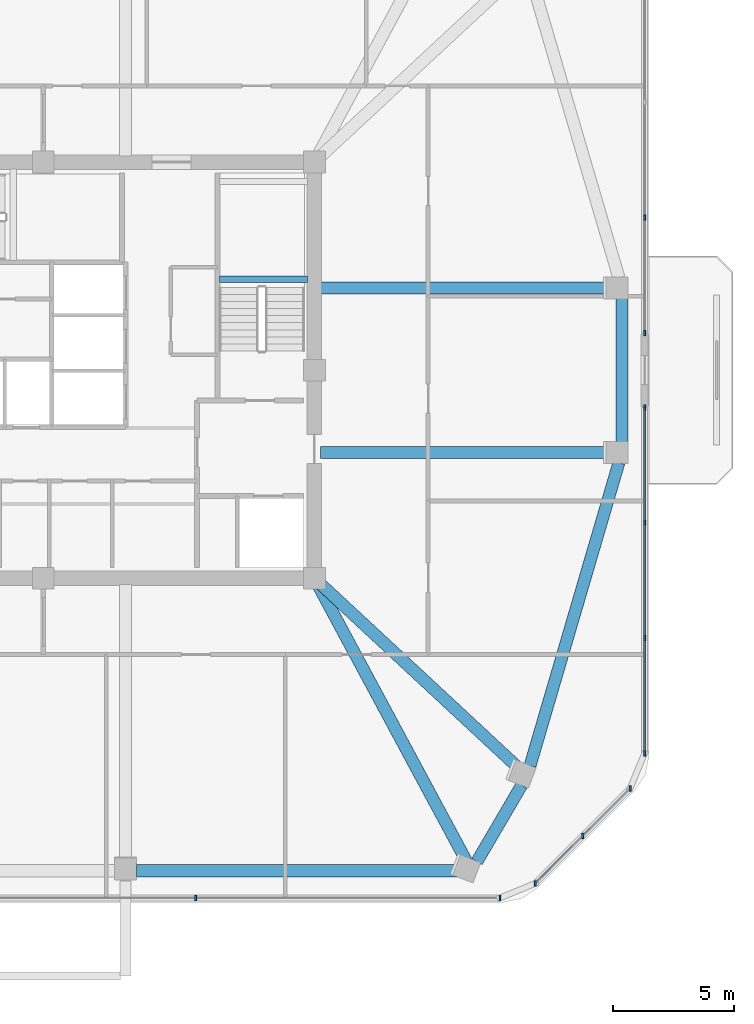
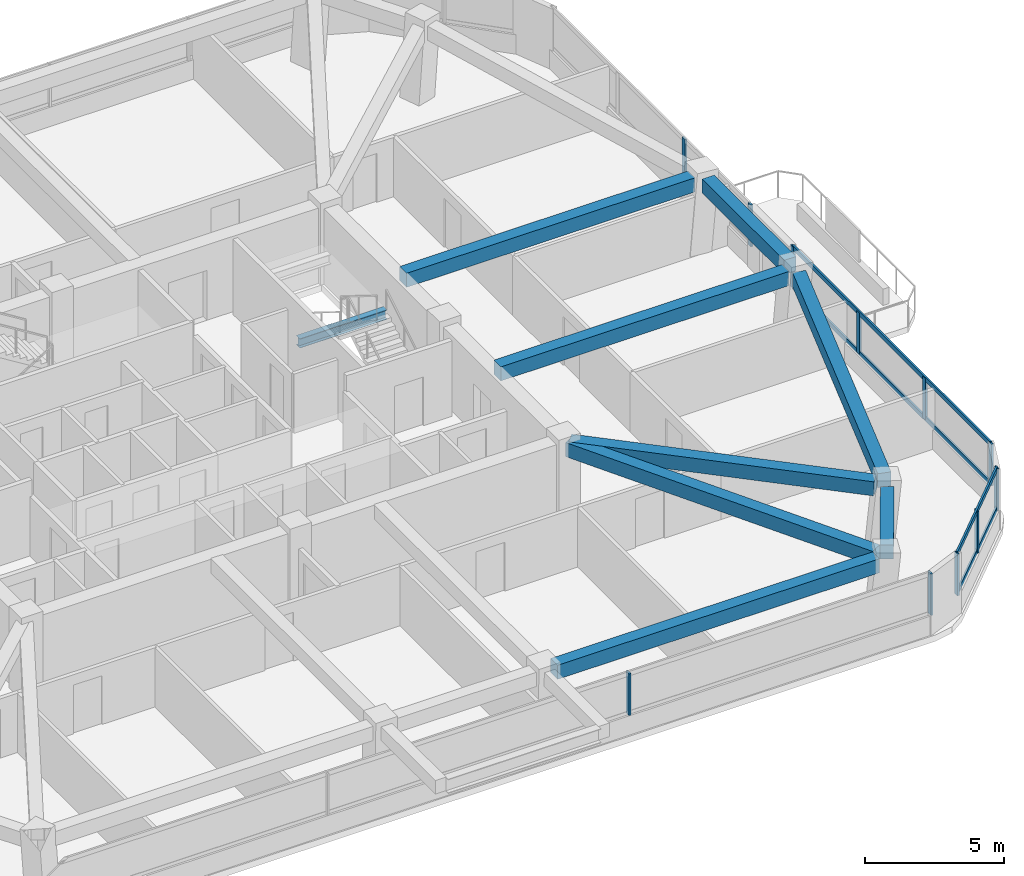
# One storey, part 5 of 13: 15 members, 9 beams, 4 elements without a shape of their own.
"""IFC4 building model written with IfcOpenShell, lengths in metres."""

from ifc_helpers import new_model, si_unit, derived_unit, direction, frame, origin, origin_2d, place, context, subcontext, project, spatial, rectangle, i_section, extrude, material, material_profile, profile_set, type_object, element, aggregate, save


model = new_model("IFC4")

# Units and contexts
model_context = context("Model", 3, precision=1e-05, world=origin(), true_north=direction((0.0, 1.0)))
body_context = subcontext(model_context, "Body", "Model", "MODEL_VIEW")
ifc_project = project(units=[si_unit("LENGTHUNIT", "METRE"), si_unit("AREAUNIT", "SQUARE_METRE"), si_unit("VOLUMEUNIT", "CUBIC_METRE"), si_unit("PLANEANGLEUNIT", "RADIAN"), si_unit("MASSUNIT", "GRAM", prefix="KILO"), derived_unit("THERMALTRANSMITTANCEUNIT", [(si_unit("POWERUNIT", "WATT"), 1), (si_unit("LENGTHUNIT", "METRE"), -2), (si_unit("THERMODYNAMICTEMPERATUREUNIT", "KELVIN"), -1)])], contexts=[model_context])

# Site, building, storey
site_placement = place(None, origin())
site = spatial("IfcSite", under=ifc_project, at=site_placement, CompositionType="ELEMENT")
building_placement = place(site_placement, origin())
building = spatial("IfcBuilding", under=site, at=building_placement, Name="Koralith Skygarden Medical Center", CompositionType="ELEMENT")
storey_placement = place(building_placement, frame((0.0, 0.0, 196.3798828125)))
storey = spatial("IfcBuildingStorey", under=building, at=storey_placement, Name="L50", CompositionType="ELEMENT", Elevation=196.3798828125)

# Curtain wall, members
ifc_material_1 = material(Name="Clear Laminated Glass", Category="glass")
curtain_wall_type = type_object("IfcCurtainWallType", Name="CW-5 Zone 4 Flare Biophilic Curtain Wall", PredefinedType="NOTDEFINED", material=ifc_material_1)
curtain_wall_1_placement = place(storey_placement, origin())
curtain_wall_1 = element("IfcCurtainWall", 1, at=curtain_wall_1_placement, inside=storey, type_object=curtain_wall_type, Name="Curtain Wall CW-L50-S", PredefinedType="NOTDEFINED")
ifc_material_2 = material(Name="Aluminium 6063-T6", Category="aluminium")
ifc_material_profile_1 = material_profile(ifc_material_2, rectangle(XDim=0.080078125, YDim=0.219970703125, at=origin_2d()), Name="MUL80X220")
ifc_profile_set_1 = profile_set([ifc_material_profile_1], Name="Aluminium 6063-T6")
member_type_1 = type_object("IfcMemberType", Name="CW-5 Extruded Mullion 80x220", PredefinedType="MULLION", material=ifc_profile_set_1)
member_1_placement = place(storey_placement, frame((43.2900390625, 4.090087890625, 0.85009765625), z_axis=(0.0, 0.0, 1.0), x_axis=(1.0, 0.0, 0.0)))
member_1 = element("IfcMember", 2, at=member_1_placement, type_object=member_type_1, Name="CW-L50-S Mullion 3", PredefinedType="MULLION", context=body_context, shape_type="SweptSolid", body=[
    extrude(rectangle(XDim=0.080078125, YDim=0.219970703125, at=origin_2d()), origin(), (0.0, 0.0, 1.0), 1.840087890625),
])
member_2_placement = place(storey_placement, frame((55.8701171875, 4.090087890625, 0.85009765625), z_axis=(0.0, 0.0, 1.0), x_axis=(1.0, 0.0, 0.0)))
member_2 = element("IfcMember", 3, at=member_2_placement, type_object=member_type_1, Name="CW-L50-S Mullion 4", PredefinedType="MULLION", context=body_context, shape_type="SweptSolid", body=[
    extrude(rectangle(XDim=0.080078125, YDim=0.219970703125, at=origin_2d()), origin(), (0.0, 0.0, 1.0), 1.840087890625),
])
aggregate(curtain_wall_1, [member_1, member_2])

curtain_wall_2_placement = place(storey_placement, origin())
curtain_wall_2 = element("IfcCurtainWall", 4, at=curtain_wall_2_placement, inside=storey, type_object=curtain_wall_type, Name="Curtain Wall CW-L50-SE", PredefinedType="NOTDEFINED")
member_3_placement = place(storey_placement, frame((57.321044921875, 4.69091796875, 0.85009765625), z_axis=(0.0, 0.0, 1.0), x_axis=(1.0, 0.0, 0.0)))
member_3 = element("IfcMember", 5, at=member_3_placement, type_object=member_type_1, Name="CW-L50-SE Mullion 1", PredefinedType="MULLION", context=body_context, shape_type="SweptSolid", body=[
    extrude(rectangle(XDim=0.080078125, YDim=0.219970703125, at=origin_2d()), origin(), (0.0, 0.0, 1.0), 1.840087890625),
])
member_4_placement = place(storey_placement, frame((59.281982421875, 6.652099609375, 0.85009765625), z_axis=(0.0, 0.0, 1.0), x_axis=(1.0, 0.0, 0.0)))
member_4 = element("IfcMember", 6, at=member_4_placement, type_object=member_type_1, Name="CW-L50-SE Mullion 2", PredefinedType="MULLION", context=body_context, shape_type="SweptSolid", body=[
    extrude(rectangle(XDim=0.080078125, YDim=0.219970703125, at=origin_2d()), origin(), (0.0, 0.0, 1.0), 1.840087890625),
])
member_5_placement = place(storey_placement, frame((61.243896484375, 8.614013671875, 0.85009765625), z_axis=(0.0, 0.0, 1.0), x_axis=(1.0, 0.0, 0.0)))
member_5 = element("IfcMember", 7, at=member_5_placement, type_object=member_type_1, Name="CW-L50-SE Mullion 3", PredefinedType="MULLION", context=body_context, shape_type="SweptSolid", body=[
    extrude(rectangle(XDim=0.080078125, YDim=0.219970703125, at=origin_2d()), origin(), (0.0, 0.0, 1.0), 1.840087890625),
])

curtain_wall_3_placement = place(storey_placement, origin())
curtain_wall_3 = element("IfcCurtainWall", 8, at=curtain_wall_3_placement, inside=storey, type_object=curtain_wall_type, Name="Curtain Wall CW-L50-E-L", PredefinedType="NOTDEFINED")
member_6_placement = place(storey_placement, frame((61.845947265625, 10.06494140625, 0.85009765625), z_axis=(0.0, 0.0, 1.0), x_axis=(1.0, 0.0, 0.0)))
member_6 = element("IfcMember", 9, at=member_6_placement, type_object=member_type_1, Name="CW-L50-E-L Mullion 1", PredefinedType="MULLION", context=body_context, shape_type="SweptSolid", body=[
    extrude(rectangle(XDim=0.080078125, YDim=0.219970703125, at=origin_2d()), origin(), (0.0, 0.0, 1.0), 1.840087890625),
])
member_7_placement = place(storey_placement, frame((61.845947265625, 14.830078125, 0.85009765625), z_axis=(0.0, 0.0, 1.0), x_axis=(1.0, 0.0, 0.0)))
member_7 = element("IfcMember", 10, at=member_7_placement, type_object=member_type_1, Name="CW-L50-E-L Mullion 2", PredefinedType="MULLION", context=body_context, shape_type="SweptSolid", body=[
    extrude(rectangle(XDim=0.080078125, YDim=0.219970703125, at=origin_2d()), origin(), (0.0, 0.0, 1.0), 1.840087890625),
])
member_8_placement = place(storey_placement, frame((61.845947265625, 19.594970703125, 0.85009765625), z_axis=(0.0, 0.0, 1.0), x_axis=(1.0, 0.0, 0.0)))
member_8 = element("IfcMember", 11, at=member_8_placement, type_object=member_type_1, Name="CW-L50-E-L Mullion 3", PredefinedType="MULLION", context=body_context, shape_type="SweptSolid", body=[
    extrude(rectangle(XDim=0.080078125, YDim=0.219970703125, at=origin_2d()), origin(), (0.0, 0.0, 1.0), 1.840087890625),
])
member_9_placement = place(storey_placement, frame((61.845947265625, 24.360107421875, 0.85009765625), z_axis=(0.0, 0.0, 1.0), x_axis=(1.0, 0.0, 0.0)))
member_9 = element("IfcMember", 12, at=member_9_placement, type_object=member_type_1, Name="CW-L50-E-L Mullion 4", PredefinedType="MULLION", context=body_context, shape_type="SweptSolid", body=[
    extrude(rectangle(XDim=0.080078125, YDim=0.219970703125, at=origin_2d()), origin(), (0.0, 0.0, 1.0), 1.840087890625),
])

curtain_wall_4_placement = place(storey_placement, origin())
curtain_wall_4 = element("IfcCurtainWall", 13, at=curtain_wall_4_placement, inside=storey, type_object=curtain_wall_type, Name="Curtain Wall CW-L50-E-R", PredefinedType="NOTDEFINED")
member_10_placement = place(storey_placement, frame((61.845947265625, 27.43994140625, 0.85009765625), z_axis=(0.0, 0.0, 1.0), x_axis=(1.0, 0.0, 0.0)))
member_10 = element("IfcMember", 14, at=member_10_placement, type_object=member_type_1, Name="CW-L50-E-R Mullion 1", PredefinedType="MULLION", context=body_context, shape_type="SweptSolid", body=[
    extrude(rectangle(XDim=0.080078125, YDim=0.219970703125, at=origin_2d()), origin(), (0.0, 0.0, 1.0), 1.840087890625),
])
member_11_placement = place(storey_placement, frame((61.845947265625, 32.205078125, 0.85009765625), z_axis=(0.0, 0.0, 1.0), x_axis=(1.0, 0.0, 0.0)))
member_11 = element("IfcMember", 15, at=member_11_placement, type_object=member_type_1, Name="CW-L50-E-R Mullion 2", PredefinedType="MULLION", context=body_context, shape_type="SweptSolid", body=[
    extrude(rectangle(XDim=0.080078125, YDim=0.219970703125, at=origin_2d()), origin(), (0.0, 0.0, 1.0), 1.840087890625),
])
aggregate(curtain_wall_4, [member_10, member_11])

# Member
ifc_material_profile_2 = material_profile(ifc_material_2, rectangle(XDim=0.074951171875, YDim=0.197998046875, at=origin_2d()), Name="TRN75X198")
ifc_profile_set_2 = profile_set([ifc_material_profile_2], Name="Aluminium 6063-T6")
member_type_2 = type_object("IfcMemberType", Name="CW-5 Thermal Transom 75x198", PredefinedType="USERDEFINED", material=ifc_profile_set_2)
member_12_placement = place(storey_placement, frame((57.321044921875, 4.69091796875, 0.900146484375), z_axis=(0.707084777957, 0.707128783731, 0.0), x_axis=(-0.707128783731, 0.707084777957, 0.0)))
member_12 = element("IfcMember", 16, at=member_12_placement, type_object=member_type_2, Name="CW-L50-SE Transom 1", ObjectType="TRANSOM", PredefinedType="USERDEFINED", context=body_context, shape_type="SweptSolid", body=[
    extrude(rectangle(XDim=0.074951171875, YDim=0.197998046875, at=origin_2d()), origin(), (0.0, 0.0, 1.0), 5.5478515625),
])

member_13_placement = place(storey_placement, frame((57.321044921875, 4.69091796875, 2.64013671875), z_axis=(0.707084777957, 0.707128783731, 0.0), x_axis=(-0.707128783731, 0.707084777957, 0.0)))
member_13 = element("IfcMember", 17, at=member_13_placement, type_object=member_type_2, Name="CW-L50-SE Transom 2", ObjectType="TRANSOM", PredefinedType="USERDEFINED", context=body_context, shape_type="SweptSolid", body=[
    extrude(rectangle(XDim=0.074951171875, YDim=0.197998046875, at=origin_2d()), origin(), (0.0, 0.0, 1.0), 5.5478515625),
])

aggregate(curtain_wall_2, [member_3, member_4, member_5, member_12, member_13])

member_14_placement = place(storey_placement, frame((61.845947265625, 10.06494140625, 0.900146484375), z_axis=(0.0, 1.0, 0.0), x_axis=(-1.0, 0.0, 0.0)))
member_14 = element("IfcMember", 18, at=member_14_placement, type_object=member_type_2, Name="CW-L50-E-L Transom 1", ObjectType="TRANSOM", PredefinedType="USERDEFINED", context=body_context, shape_type="SweptSolid", body=[
    extrude(rectangle(XDim=0.074951171875, YDim=0.197998046875, at=origin_2d()), origin(), (0.0, 0.0, 1.0), 14.295166015625),
])

member_15_placement = place(storey_placement, frame((61.845947265625, 10.06494140625, 2.64013671875), z_axis=(0.0, 1.0, 0.0), x_axis=(-1.0, 0.0, 0.0)))
member_15 = element("IfcMember", 19, at=member_15_placement, type_object=member_type_2, Name="CW-L50-E-L Transom 2", ObjectType="TRANSOM", PredefinedType="USERDEFINED", context=body_context, shape_type="SweptSolid", body=[
    extrude(rectangle(XDim=0.074951171875, YDim=0.197998046875, at=origin_2d()), origin(), (0.0, 0.0, 1.0), 14.295166015625),
])

aggregate(curtain_wall_3, [member_6, member_7, member_8, member_9, member_14, member_15])

# Beams
ifc_material_3 = material(Name="Steel ASTM A992 Grade 50", Category="steel")
ifc_material_profile_3 = material_profile(ifc_material_3, i_section(OverallWidth=0.260009765625, OverallDepth=0.4150390625, WebThickness=0.010009765625, FlangeThickness=0.016845703125, at=origin_2d()), Name="W16X67")
ifc_profile_set_3 = profile_set([ifc_material_profile_3], Name="Steel ASTM A992 Grade 50")
beam_type_1 = type_object("IfcBeamType", Name="Clinical Floor Joist W16X67", PredefinedType="JOIST", material=ifc_profile_set_3)
beam_1_placement = place(storey_placement, frame((44.280029296875, 29.659912109375, 1.39306640625), z_axis=(1.0, 0.0, 0.0), x_axis=(0.0, 1.0, 0.0)))
element("IfcBeam", 20, at=beam_1_placement, inside=storey, type_object=beam_type_1, Name="L50 Stair ST2 Half-Landing Support Beam 1A", PredefinedType="JOIST", context=body_context, shape_type="SweptSolid", body=[
    extrude(i_section(OverallWidth=0.260009765625, OverallDepth=0.4150390625, WebThickness=0.010009765625, FlangeThickness=0.016845703125, at=origin_2d()), origin(), (0.0, 0.0, 1.0), 3.639892578125),
])
ifc_material_4 = material(Name="Concrete C45/55", Category="concrete")
ifc_material_profile_4 = material_profile(ifc_material_4, rectangle(XDim=0.5, YDim=0.6201171875, at=origin_2d()), Name="RCB500X620")
ifc_profile_set_4 = profile_set([ifc_material_profile_4], Name="Concrete C45/55")
beam_type_2 = type_object("IfcBeamType", Name="Upper Radial Collector Beam RCB500X620", PredefinedType="BEAM", material=ifc_profile_set_4)
beam_2_placement = place(storey_placement, frame((48.318115234375, 17.080078125, 3.010009765625), z_axis=(0.47347182097, -0.880808966092, 0.0), x_axis=(0.880808966092, 0.47347182097, 0.0)))
element("IfcBeam", 21, at=beam_2_placement, inside=storey, type_object=beam_type_2, Name="L50 Radial Collector Beam RB-06", PredefinedType="BEAM", context=body_context, shape_type="SweptSolid", body=[
    extrude(rectangle(XDim=0.5, YDim=0.6201171875, at=origin_2d()), origin(), (0.0, 0.0, 1.0), 13.03125),
])
beam_3_placement = place(storey_placement, frame((48.383056640625, 17.1298828125, 3.010009765625), z_axis=(0.732595808089, -0.680663927332, 0.0), x_axis=(0.680663927332, 0.732595808089, 0.0)))
element("IfcBeam", 22, at=beam_3_placement, inside=storey, type_object=beam_type_2, Name="L50 Radial Collector Beam RB-07", PredefinedType="BEAM", context=body_context, shape_type="SweptSolid", body=[
    extrude(rectangle(XDim=0.5, YDim=0.6201171875, at=origin_2d()), origin(), (0.0, 0.0, 1.0), 11.306396484375),
])
for number, where, z_axis, x_axis, name in (
    (23, (48.449951171875, 22.5, 3.010009765625), (1.0, 0.0, 0.0), (0.0, 1.0, 0.0), "L50 Radial Collector Beam RB-08"),
    (24, (48.449951171875, 29.300048828125, 3.010009765625), (1.0, 0.0, 0.0), (0.0, 1.0, 0.0), "L50 Radial Collector Beam RB-09"),
):
    element("IfcBeam", number, at=place(storey_placement, frame(where, z_axis=z_axis, x_axis=x_axis)), inside=storey, type_object=beam_type_2, Name=name, PredefinedType="BEAM", context=body_context, shape_type="SweptSolid", body=[
        extrude(rectangle(XDim=0.5, YDim=0.6201171875, at=origin_2d()), origin(), (0.0, 0.0, 1.0), 12.01806640625),
    ])
ifc_material_profile_5 = material_profile(ifc_material_4, rectangle(XDim=0.5, YDim=0.6201171875, at=origin_2d()), Name="RCB500X620")
ifc_profile_set_5 = profile_set([ifc_material_profile_5], Name="Concrete C45/55")
beam_type_3 = type_object("IfcBeamType", Name="Zone 4-5 Spandrel Beam RCB500X620", PredefinedType="SPANDREL", material=ifc_profile_set_5)
beam_4_placement = place(storey_placement, frame((40.840087890625, 5.214111328125, 3.010009765625), z_axis=(1.0, 0.0, 0.0), x_axis=(0.0, 1.0, 0.0)))
element("IfcBeam", 25, at=beam_4_placement, inside=storey, type_object=beam_type_3, Name="L50 Perimeter Spandrel Beam SP-05", PredefinedType="SPANDREL", context=body_context, shape_type="SweptSolid", body=[
    extrude(rectangle(XDim=0.5, YDim=0.6201171875, at=origin_2d()), origin(), (0.0, 0.0, 1.0), 13.416015625),
])
beam_5_placement = place(storey_placement, frame((54.91796875, 5.593994140625, 3.010009765625), z_axis=(0.504861750403, 0.863200216045, 0.0), x_axis=(-0.863200216045, 0.504861750403, 0.0)))
element("IfcBeam", 26, at=beam_5_placement, inside=storey, type_object=beam_type_3, Name="L50 Perimeter Spandrel Beam SP-06", PredefinedType="SPANDREL", context=body_context, shape_type="SweptSolid", body=[
    extrude(rectangle(XDim=0.5, YDim=0.6201171875, at=origin_2d()), origin(), (0.0, 0.0, 1.0), 3.66064453125),
])
beam_6_placement = place(storey_placement, frame((57.112060546875, 9.555908203125, 3.010009765625), z_axis=(0.281386283755, 0.959594580703, 0.0), x_axis=(-0.959594580703, 0.281386283755, 0.0)))
element("IfcBeam", 27, at=beam_6_placement, inside=storey, type_object=beam_type_3, Name="L50 Perimeter Spandrel Beam SP-07", PredefinedType="SPANDREL", context=body_context, shape_type="SweptSolid", body=[
    extrude(rectangle(XDim=0.5, YDim=0.6201171875, at=origin_2d()), origin(), (0.0, 0.0, 1.0), 13.04931640625),
])
beam_7_placement = place(storey_placement, frame((60.907958984375, 22.93994140625, 3.010009765625), z_axis=(0.0, 1.0, 0.0), x_axis=(-1.0, 0.0, 0.0)))
element("IfcBeam", 28, at=beam_7_placement, inside=storey, type_object=beam_type_3, Name="L50 Perimeter Spandrel Beam SP-08", PredefinedType="SPANDREL", context=body_context, shape_type="SweptSolid", body=[
    extrude(rectangle(XDim=0.5, YDim=0.6201171875, at=origin_2d()), origin(), (0.0, 0.0, 1.0), 5.920166015625),
])

save(model, "model.ifc")
